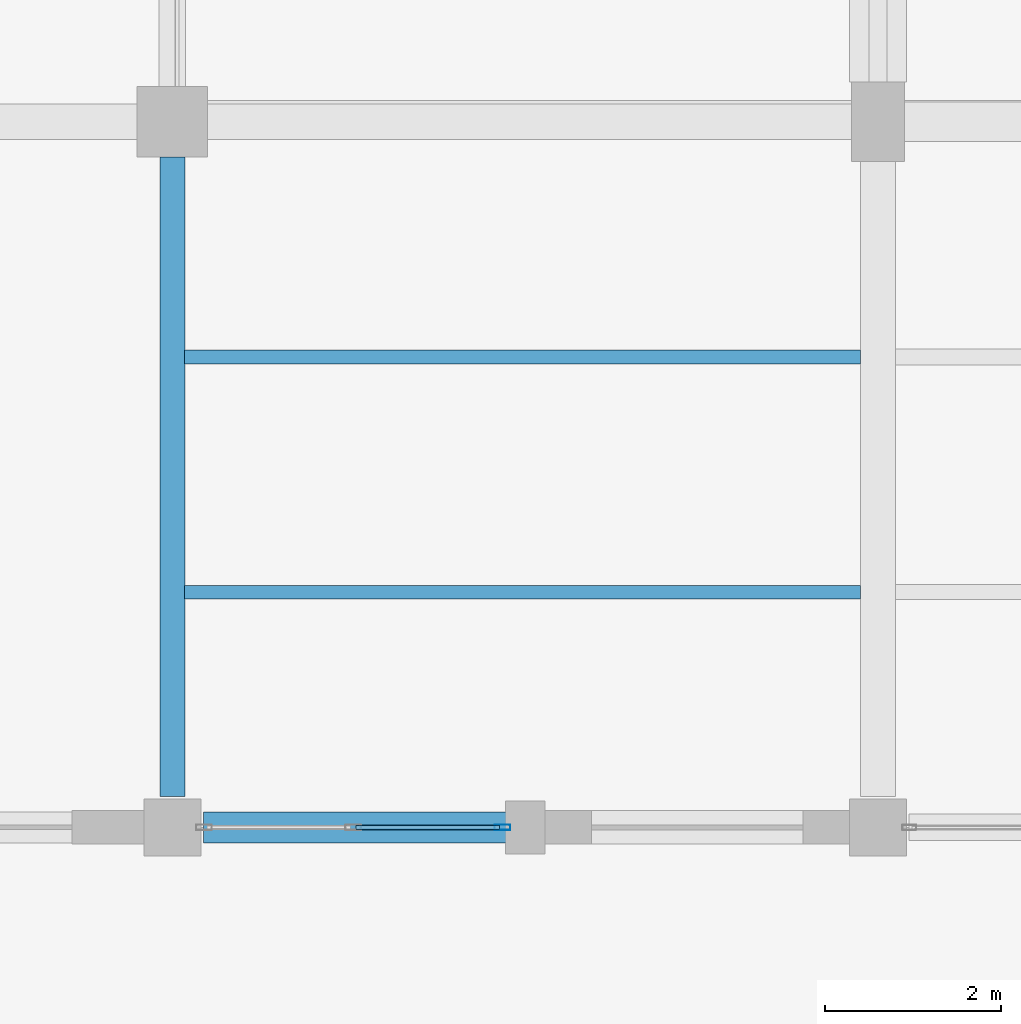
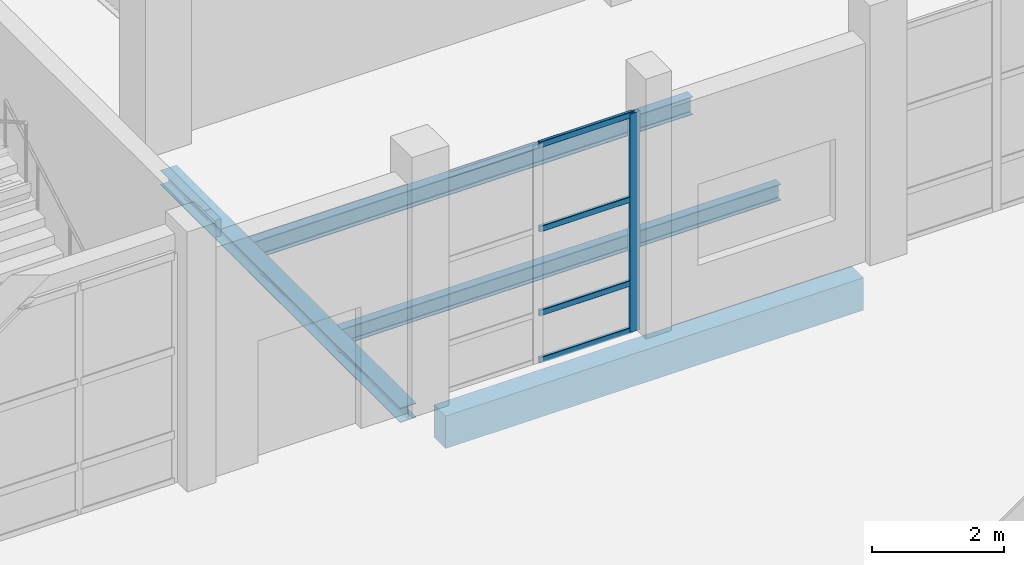
# One storey, part 28 of 156: 5 members, 4 beams, 1 element without a shape of its own.
"""IFC4 building model written with IfcOpenShell, lengths in metres."""

from ifc_helpers import new_model, si_unit, direction, frame, origin, origin_2d, place, context, subcontext, project, spatial, rectangle, hollow_rectangle, i_section, extrude, material, material_profile, profile_set, type_object, element, aggregate, save


model = new_model("IFC4")

# Units and contexts
model_context = context("Model", 3, precision=1e-05, world=origin(), true_north=direction((0.0, 1.0)))
body_context = subcontext(model_context, "Body", "Model", "MODEL_VIEW")
ifc_project = project(units=[si_unit("LENGTHUNIT", "METRE"), si_unit("AREAUNIT", "SQUARE_METRE"), si_unit("VOLUMEUNIT", "CUBIC_METRE"), si_unit("PLANEANGLEUNIT", "RADIAN"), si_unit("MASSUNIT", "GRAM", prefix="KILO")], contexts=[model_context])

# Site, building, storey
site_placement = place(None, origin())
site = spatial("IfcSite", under=ifc_project, at=site_placement, CompositionType="ELEMENT")
building_placement = place(site_placement, origin())
building = spatial("IfcBuilding", under=site, at=building_placement, Name="Luwemba Playhouse", CompositionType="ELEMENT")
storey_placement = place(building_placement, origin())
storey = spatial("IfcBuildingStorey", under=building, at=storey_placement, Name="L00", CompositionType="ELEMENT", Elevation=0.0)

# Beams
ifc_material_1 = material(Name="Steel S355", Category="steel")
ifc_material_profile_1 = material_profile(ifc_material_1, i_section(OverallWidth=0.280029296875, OverallDepth=0.27001953125, WebThickness=0.008056640625, FlangeThickness=0.012939453125, FilletRadius=0.02392578125, at=origin_2d()))
ifc_profile_set_1 = profile_set([ifc_material_profile_1], Name="Steel S355")
beam_type_1 = type_object("IfcBeamType", Name="BM-SB02", PredefinedType="BEAM", material=ifc_profile_set_1)
beam_1_placement = place(storey_placement, frame((12.0, 36.35009765625, -0.43505859375), z_axis=(0.0, 1.0, 0.0), x_axis=(-1.0, 0.0, 0.0)))
element("IfcBeam", 1, at=beam_1_placement, inside=storey, type_object=beam_type_1, Name="L00 transverse girder 0023", PredefinedType="BEAM", context=body_context, shape_type="SweptSolid", body=[
    extrude(i_section(OverallWidth=0.280029296875, OverallDepth=0.27001953125, WebThickness=0.008056640625, FlangeThickness=0.012939453125, FilletRadius=0.02392578125, at=origin_2d()), origin(), (0.0, 0.0, 1.0), 7.25),
])
ifc_material_profile_2 = material_profile(ifc_material_1, i_section(OverallWidth=0.14990234375, OverallDepth=0.300048828125, WebThickness=0.007080078125, FlangeThickness=0.0107421875, FilletRadius=0.014892578125, at=origin_2d()))
ifc_profile_set_2 = profile_set([ifc_material_profile_2], Name="Steel S355")
beam_type_2 = type_object("IfcBeamType", Name="BM-SJ05", PredefinedType="JOIST", material=ifc_profile_set_2)
beam_2_placement = place(storey_placement, frame((12.135986328125, 38.666748046875, -0.449951171875), z_axis=(1.0, 0.0, 0.0), x_axis=(0.0, 1.0, 0.0)))
element("IfcBeam", 2, at=beam_2_placement, inside=storey, type_object=beam_type_2, Name="L00 composite floor joist 0007", PredefinedType="JOIST", context=body_context, shape_type="SweptSolid", body=[
    extrude(i_section(OverallWidth=0.14990234375, OverallDepth=0.300048828125, WebThickness=0.007080078125, FlangeThickness=0.0107421875, FilletRadius=0.014892578125, at=origin_2d()), origin(), (0.0, 0.0, 1.0), 7.66796875),
])
ifc_material_profile_3 = material_profile(ifc_material_1, i_section(OverallWidth=0.159912109375, OverallDepth=0.330078125, WebThickness=0.007568359375, FlangeThickness=0.011474609375, FilletRadius=0.01806640625, at=origin_2d()))
ifc_profile_set_3 = profile_set([ifc_material_profile_3], Name="Steel S355")
beam_type_3 = type_object("IfcBeamType", Name="BM-SJ06", PredefinedType="JOIST", material=ifc_profile_set_3)
beam_3_placement = place(storey_placement, frame((12.135986328125, 41.333251953125, -0.465087890625), z_axis=(1.0, 0.0, 0.0), x_axis=(0.0, 1.0, 0.0)))
element("IfcBeam", 3, at=beam_3_placement, inside=storey, type_object=beam_type_3, Name="L00 composite floor joist 0008", PredefinedType="JOIST", context=body_context, shape_type="SweptSolid", body=[
    extrude(i_section(OverallWidth=0.159912109375, OverallDepth=0.330078125, WebThickness=0.007568359375, FlangeThickness=0.011474609375, FilletRadius=0.01806640625, at=origin_2d()), origin(), (0.0, 0.0, 1.0), 7.66796875),
])
ifc_material_2 = material(Name="Concrete C40/50", Category="concrete")
ifc_material_profile_4 = material_profile(ifc_material_2, rectangle(XDim=0.35009765625, YDim=0.60009765625, at=origin_2d()))
ifc_profile_set_4 = profile_set([ifc_material_profile_4], Name="Concrete C40/50")
beam_type_4 = type_object("IfcBeamType", Name="BM-SP3", PredefinedType="SPANDREL", material=ifc_profile_set_4)
beam_4_placement = place(storey_placement, frame((12.35009765625, 36.0, -0.60009765625), z_axis=(1.0, 0.0, 0.0), x_axis=(0.0, 1.0, 0.0)))
element("IfcBeam", 4, at=beam_4_placement, inside=storey, type_object=beam_type_4, Name="L00 grid girder 0002", PredefinedType="SPANDREL", context=body_context, shape_type="SweptSolid", body=[
    extrude(rectangle(XDim=0.35009765625, YDim=0.60009765625, at=origin_2d()), origin(), (0.0, 0.0, 1.0), 7.2998046875),
])

# Curtain wall, members
ifc_material_3 = material(Name="Solar-control double glazing", Category="glass")
curtain_wall_type = type_object("IfcCurtainWallType", Name="CW-CW12", PredefinedType="USERDEFINED", material=ifc_material_3)
curtain_wall_placement = place(storey_placement, origin())
curtain_wall = element("IfcCurtainWall", 5, at=curtain_wall_placement, inside=storey, type_object=curtain_wall_type, Name="L00 V1 unitised curtain wall 012", ObjectType="UNITISED GLAZING", PredefinedType="USERDEFINED")
ifc_material_4 = material(Name="Aluminium 6063-T6", Category="aluminium")
ifc_material_profile_5 = material_profile(ifc_material_4, hollow_rectangle(XDim=0.06494140625, YDim=0.179931640625, WallThickness=0.00439453125, InnerFilletRadius=0.0068359375, OuterFilletRadius=0.01123046875, at=origin_2d()))
ifc_profile_set_5 = profile_set([ifc_material_profile_5], Name="Aluminium 6063-T6")
member_type_1 = type_object("IfcMemberType", Name="CWM-M2", PredefinedType="MULLION", material=ifc_profile_set_5)
member_1_placement = place(storey_placement, frame((15.742431640625, 36.0, 0.0), z_axis=(0.0, 0.0, 1.0), x_axis=(0.0, -1.0, 0.0)))
member_1 = element("IfcMember", 6, at=member_1_placement, type_object=member_type_1, Name="CW12 mullion 1", PredefinedType="MULLION", context=body_context, shape_type="SweptSolid", body=[
    extrude(hollow_rectangle(XDim=0.06494140625, YDim=0.179931640625, WallThickness=0.00439453125, InnerFilletRadius=0.0068359375, OuterFilletRadius=0.01123046875, at=origin_2d()), origin(), (0.0, 0.0, 1.0), 4.034912109375),
])
ifc_material_profile_6 = material_profile(ifc_material_4, hollow_rectangle(XDim=0.054931640625, YDim=0.110107421875, WallThickness=0.00341796875, InnerFilletRadius=0.00537109375, OuterFilletRadius=0.0087890625, at=origin_2d()))
ifc_profile_set_6 = profile_set([ifc_material_profile_6], Name="Aluminium 6063-T6")
member_type_2 = type_object("IfcMemberType", Name="CWT-T2", PredefinedType="USERDEFINED", material=ifc_profile_set_6)
member_2_placement = place(storey_placement, frame((15.7099609375, 36.0, 0.027587890625), z_axis=(-1.0, 0.0, 0.0), x_axis=(0.0, -1.0, 0.0)))
member_2 = element("IfcMember", 7, at=member_2_placement, type_object=member_type_2, Name="CW12 transom 1.1", ObjectType="TRANSOM", PredefinedType="USERDEFINED", context=body_context, shape_type="SweptSolid", body=[
    extrude(hollow_rectangle(XDim=0.054931640625, YDim=0.110107421875, WallThickness=0.00341796875, InnerFilletRadius=0.00537109375, OuterFilletRadius=0.0087890625, at=origin_2d()), origin(), (0.0, 0.0, 1.0), 1.62744140625),
])
member_3_placement = place(storey_placement, frame((15.7099609375, 36.0, 0.89990234375), z_axis=(-1.0, 0.0, 0.0), x_axis=(0.0, -1.0, 0.0)))
member_3 = element("IfcMember", 8, at=member_3_placement, type_object=member_type_2, Name="CW12 transom 1.2", ObjectType="TRANSOM", PredefinedType="USERDEFINED", context=body_context, shape_type="SweptSolid", body=[
    extrude(hollow_rectangle(XDim=0.054931640625, YDim=0.110107421875, WallThickness=0.00341796875, InnerFilletRadius=0.00537109375, OuterFilletRadius=0.0087890625, at=origin_2d()), origin(), (0.0, 0.0, 1.0), 1.62744140625),
])
member_4_placement = place(storey_placement, frame((15.7099609375, 36.0, 2.449951171875), z_axis=(-1.0, 0.0, 0.0), x_axis=(0.0, -1.0, 0.0)))
member_4 = element("IfcMember", 9, at=member_4_placement, type_object=member_type_2, Name="CW12 transom 1.3", ObjectType="TRANSOM", PredefinedType="USERDEFINED", context=body_context, shape_type="SweptSolid", body=[
    extrude(hollow_rectangle(XDim=0.054931640625, YDim=0.110107421875, WallThickness=0.00341796875, InnerFilletRadius=0.00537109375, OuterFilletRadius=0.0087890625, at=origin_2d()), origin(), (0.0, 0.0, 1.0), 1.62744140625),
])
member_5_placement = place(storey_placement, frame((15.7099609375, 36.0, 4.007568359375), z_axis=(-1.0, 0.0, 0.0), x_axis=(0.0, -1.0, 0.0)))
member_5 = element("IfcMember", 10, at=member_5_placement, type_object=member_type_2, Name="CW12 transom 1.4", ObjectType="TRANSOM", PredefinedType="USERDEFINED", context=body_context, shape_type="SweptSolid", body=[
    extrude(hollow_rectangle(XDim=0.054931640625, YDim=0.110107421875, WallThickness=0.00341796875, InnerFilletRadius=0.00537109375, OuterFilletRadius=0.0087890625, at=origin_2d()), origin(), (0.0, 0.0, 1.0), 1.62744140625),
])
aggregate(curtain_wall, [member_1, member_2, member_3, member_4, member_5])

save(model, "model.ifc")
